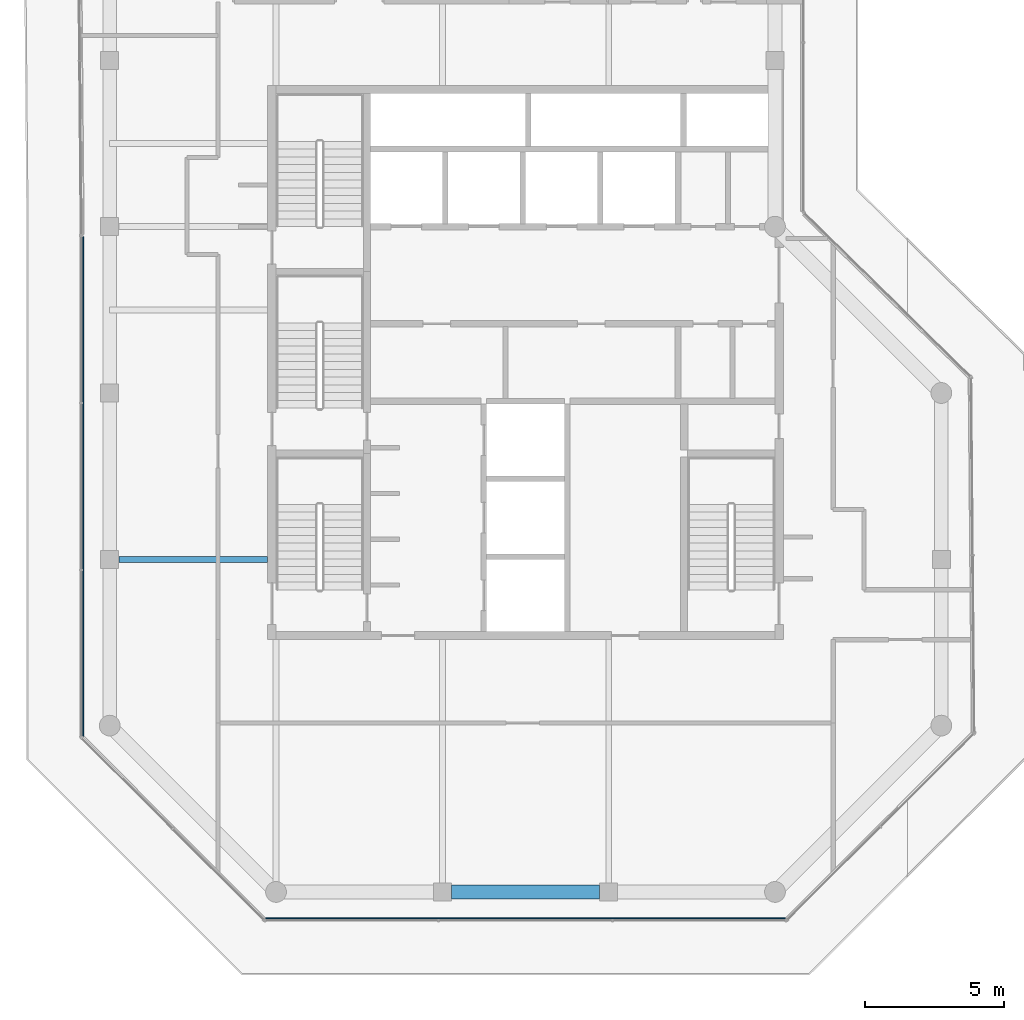
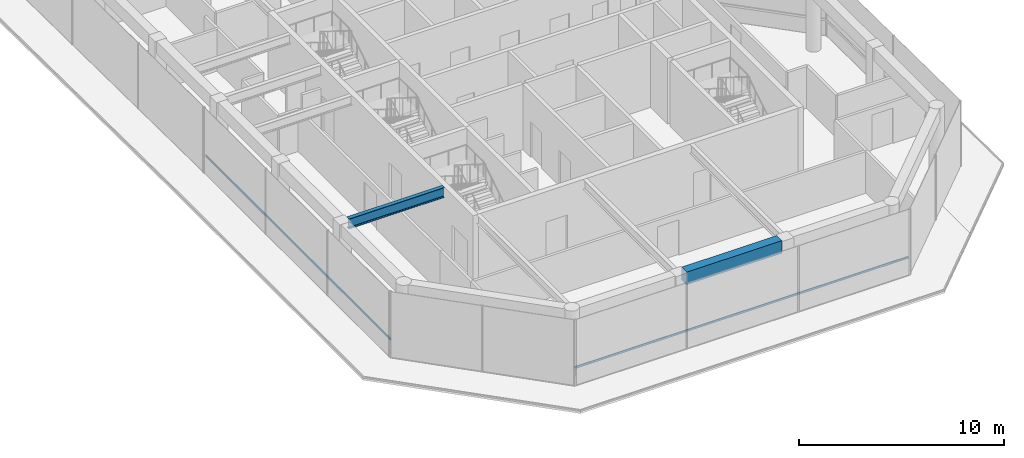
# One storey, part 3 of 21: 2 beams, 2 members, 2 elements without a shape of their own.
"""IFC4 building model written with IfcOpenShell, lengths in metres."""

from ifc_helpers import new_model, si_unit, direction, frame, origin, origin_2d, place, context, subcontext, project, spatial, rectangle, i_section, extrude, material, layer, layer_set, material_profile, profile_set, type_object, element, aggregate, save


model = new_model("IFC4")

# Units and contexts
model_context = context("Model", 3, precision=1e-05, world=origin(), true_north=direction((0.0, 1.0)))
body_context = subcontext(model_context, "Body", "Model", "MODEL_VIEW")
ifc_project = project(units=[si_unit("LENGTHUNIT", "METRE"), si_unit("AREAUNIT", "SQUARE_METRE"), si_unit("VOLUMEUNIT", "CUBIC_METRE"), si_unit("PLANEANGLEUNIT", "RADIAN"), si_unit("MASSUNIT", "GRAM", prefix="KILO")], contexts=[model_context])

# Site, building, storey
site_placement = place(None, origin())
site = spatial("IfcSite", under=ifc_project, at=site_placement, CompositionType="ELEMENT")
building_placement = place(site_placement, origin())
building = spatial("IfcBuilding", under=site, at=building_placement, Name="Welwitschia Terrace Campus", CompositionType="ELEMENT")
storey_placement = place(building_placement, frame((0.0, 0.0, 331.39990234375)))
storey = spatial("IfcBuildingStorey", under=building, at=storey_placement, Name="L74", CompositionType="ELEMENT", Elevation=331.39990234375)

# Beams
ifc_material_1 = material(Name="Steel S355", Category="steel")
ifc_material_profile_1 = material_profile(ifc_material_1, i_section(OverallWidth=0.219970703125, OverallDepth=0.60009765625, WebThickness=0.011962890625, FlangeThickness=0.01904296875, FilletRadius=0.02392578125, at=origin_2d()))
ifc_profile_set_1 = profile_set([ifc_material_profile_1], Name="Steel S355")
beam_type_1 = type_object("IfcBeamType", Name="Primary beam IPE 600", PredefinedType="BEAM", material=ifc_profile_set_1)
beam_1_placement = place(storey_placement, frame((0.325439453125, 8.0, 3.60009765625), z_axis=(1.0, 0.0, 0.0), x_axis=(0.0, 1.0, 0.0)))
element("IfcBeam", 1, at=beam_1_placement, inside=storey, type_object=beam_type_1, Name="Primary beam PB7", PredefinedType="BEAM", context=body_context, shape_type="SweptSolid", body=[
    extrude(i_section(OverallWidth=0.219970703125, OverallDepth=0.60009765625, WebThickness=0.011962890625, FlangeThickness=0.01904296875, FilletRadius=0.02392578125, at=origin_2d()), origin(), (0.0, 0.0, 1.0), 5.37451171875),
])
ifc_material_2 = material(Name="Concrete C40/50", Category="concrete")
ifc_material_profile_2 = material_profile(ifc_material_2, rectangle(XDim=0.5, YDim=0.75, at=origin_2d()))
ifc_profile_set_2 = profile_set([ifc_material_profile_2], Name="Concrete C40/50")
beam_type_2 = type_object("IfcBeamType", Name="Ring spandrel 500x750", PredefinedType="SPANDREL", material=ifc_profile_set_2)
beam_2_placement = place(storey_placement, frame((12.325439453125, -4.0, 3.525146484375), z_axis=(1.0, 0.0, 0.0), x_axis=(0.0, 1.0, 0.0)))
element("IfcBeam", 2, at=beam_2_placement, inside=storey, type_object=beam_type_2, Name="Spandrel SP5", PredefinedType="SPANDREL", context=body_context, shape_type="SweptSolid", body=[
    extrude(rectangle(XDim=0.5, YDim=0.75, at=origin_2d()), origin(), (0.0, 0.0, 1.0), 5.34912109375),
])

# Curtain wall, member
ifc_material_3 = material(Name="Bronze anodised aluminium", Category="aluminium")
ifc_layer = layer(ifc_material_3, 0.10009765625)
ifc_layer_set = layer_set([ifc_layer], Name="Bronze anodised aluminium")
curtain_wall_type = type_object("IfcCurtainWallType", Name="Curtain wall CW5 crown 6000", PredefinedType="NOTDEFINED", material=ifc_layer_set)
curtain_wall_1_placement = place(storey_placement, origin())
curtain_wall_1 = element("IfcCurtainWall", 3, at=curtain_wall_1_placement, inside=storey, type_object=curtain_wall_type, Name="CW L74.1.0", PredefinedType="NOTDEFINED")
ifc_material_4 = material(Name="Bronze anodised aluminium", Category="aluminium")
ifc_material_profile_3 = material_profile(ifc_material_4, rectangle(XDim=0.050048828125, YDim=0.1201171875, at=origin_2d()))
ifc_profile_set_3 = profile_set([ifc_material_profile_3], Name="Bronze anodised aluminium")
member_type = type_object("IfcMemberType", Name="Transom 50x120", PredefinedType="USERDEFINED", material=ifc_profile_set_3)
member_1_placement = place(storey_placement, frame((-0.955078125, 19.6318359375, 1.0), z_axis=(0.0, -1.0, 0.0), x_axis=(1.0, 0.0, 0.0)))
member_1 = element("IfcMember", 4, at=member_1_placement, type_object=member_type, Name="Transom L74.1.0", ObjectType="TRANSOM", PredefinedType="USERDEFINED", context=body_context, shape_type="SweptSolid", body=[
    extrude(rectangle(XDim=0.050048828125, YDim=0.1201171875, at=origin_2d()), origin(), (0.0, 0.0, 1.0), 18.008544921875),
])
aggregate(curtain_wall_1, [member_1])

curtain_wall_2_placement = place(storey_placement, origin())
curtain_wall_2 = element("IfcCurtainWall", 5, at=curtain_wall_2_placement, inside=storey, type_object=curtain_wall_type, Name="CW L74.3.0", PredefinedType="NOTDEFINED")
member_2_placement = place(storey_placement, frame((5.623291015625, -4.955078125, 1.0), z_axis=(1.0, 0.0, 0.0), x_axis=(0.0, 1.0, 0.0)))
member_2 = element("IfcMember", 6, at=member_2_placement, type_object=member_type, Name="Transom L74.3.0", ObjectType="TRANSOM", PredefinedType="USERDEFINED", context=body_context, shape_type="SweptSolid", body=[
    extrude(rectangle(XDim=0.050048828125, YDim=0.1201171875, at=origin_2d()), origin(), (0.0, 0.0, 1.0), 18.75341796875),
])
aggregate(curtain_wall_2, [member_2])

save(model, "model.ifc")
